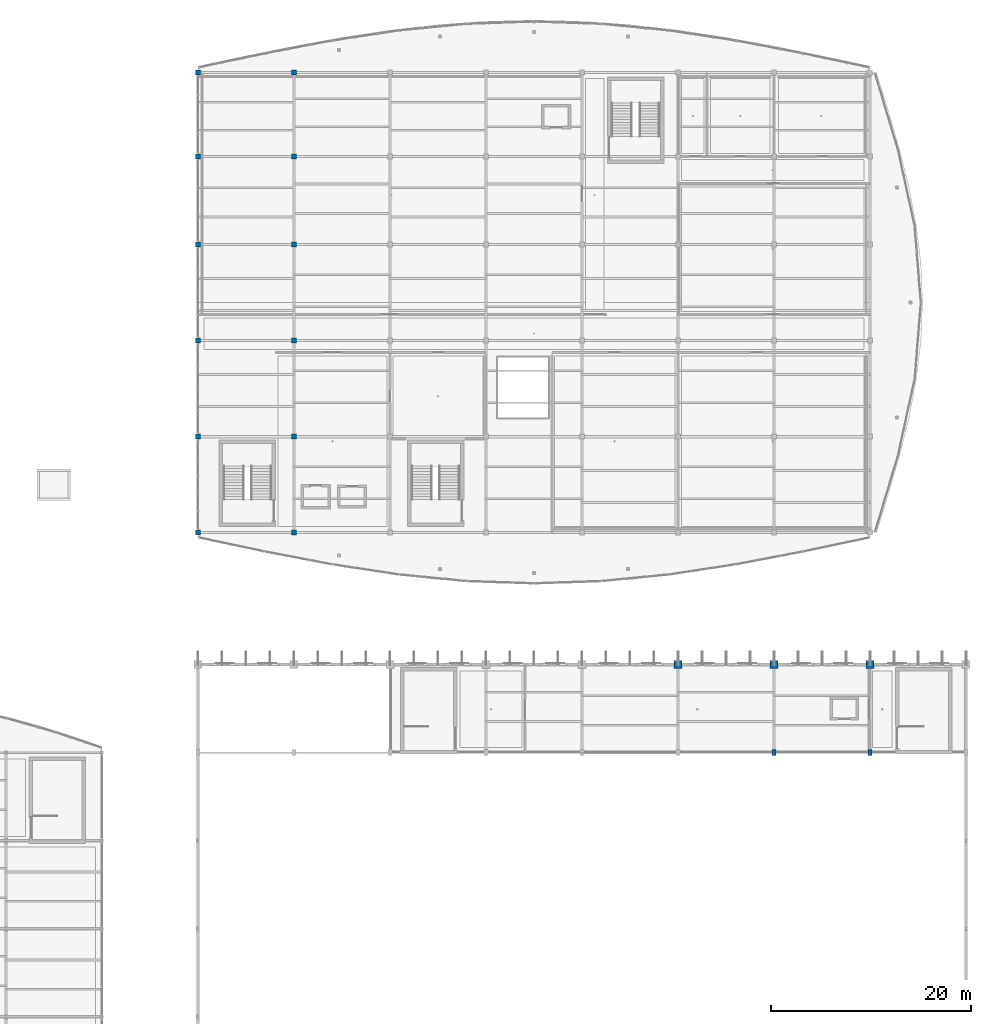
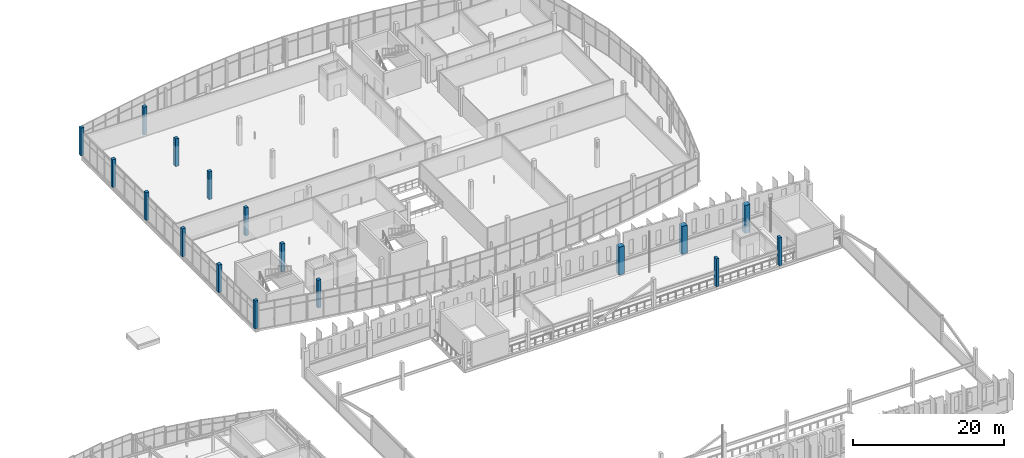
# One storey, part 8 of 114: 17 columns.
"""IFC4 building model written with IfcOpenShell, lengths in metres."""

import ifcopenshell
import ifcopenshell.guid

model = None  # the IFC model being written
_history = None  # IfcOwnerHistory: only IFC2X3 demands one
_inside = {}  # id of a spatial element -> (the spatial element, [elements in it])
_under = {}  # id of a project, library or spatial element -> (it, [spatial elements below it])
_declared = {}  # id of a project -> (the project, [libraries it declares])
_typed = {}  # id of a type object -> (the type object, [elements of that type])
_made_of = {}  # id of a material, layer set ... -> (it, [elements and type objects made of it])


def new_model(schema):
    """Start an empty IFC model of exactly this schema.

    Asked for "IFC4X3", IfcOpenShell would pick the latest addendum, in which some entities
    have other attributes; the version numbers below select the first issue.
    IFC2X3 requires an IfcOwnerHistory on every rooted entity: one is made here for all.
    """
    global model, _history
    if schema == "IFC4X3":
        model = ifcopenshell.file(schema_version=(4, 3, 0, 0))
    else:
        model = ifcopenshell.file(schema=schema)
    _inside.clear()
    _under.clear()
    _declared.clear()
    _typed.clear()
    _made_of.clear()
    _history = None
    if model.schema == "IFC2X3":
        org = make("IfcOrganization", Name="unknown")
        user = make(
            "IfcPersonAndOrganization",
            ThePerson=make("IfcPerson", FamilyName="unknown"),
            TheOrganization=org,
        )
        app = make(
            "IfcApplication",
            ApplicationDeveloper=org,
            Version="unknown",
            ApplicationFullName="unknown",
            ApplicationIdentifier="unknown",
        )
        _history = make(
            "IfcOwnerHistory",
            OwningUser=user,
            OwningApplication=app,
            ChangeAction="ADDED",
            CreationDate=0,
        )
    return model


def make(cls, **values):
    """One entity of the class cls with the attributes given. An attribute that is None is left unset."""
    return model.create_entity(
        cls, **{name: value for name, value in values.items() if value is not None}
    )


def rooted(cls, **values):
    """An entity with a GlobalId (a new one), such as an element, a storey or a relation."""
    return make(cls, GlobalId=ifcopenshell.guid.new(), OwnerHistory=_history, **values)


def si_unit(unit_type, name, prefix=None):
    """IfcSIUnit, for example si_unit("LENGTHUNIT", "METRE", prefix="MILLI")."""
    return make("IfcSIUnit", UnitType=unit_type, Prefix=prefix, Name=name)


def assignment(units):
    """IfcUnitAssignment: the units of a project."""
    return None if units is None else make("IfcUnitAssignment", Units=units)


def point(xyz):
    """IfcCartesianPoint."""
    return None if xyz is None else make("IfcCartesianPoint", Coordinates=xyz)


def direction(xyz):
    """IfcDirection."""
    return None if xyz is None else make("IfcDirection", DirectionRatios=xyz)


def frame(location, z_axis=None, x_axis=None):
    """IfcAxis2Placement3D, a coordinate frame: its origin and axes. An axis left out is left unset."""
    return make(
        "IfcAxis2Placement3D",
        Location=point(location),
        Axis=direction(z_axis),
        RefDirection=direction(x_axis),
    )


def frame_2d(location, x_axis=None):
    """IfcAxis2Placement2D, a coordinate frame in the plane: its origin and x axis."""
    return make(
        "IfcAxis2Placement2D", Location=point(location), RefDirection=direction(x_axis)
    )


def origin():
    """The frame at (0, 0, 0) with its axes left unset."""
    return frame((0.0, 0.0, 0.0))


def origin_2d():
    """The frame at (0, 0) in the plane with its x axis left unset."""
    return frame_2d((0.0, 0.0))


def place(relative_to, where):
    """IfcLocalPlacement: puts the frame where relative to a parent placement (None: the world)."""
    return make(
        "IfcLocalPlacement", PlacementRelTo=relative_to, RelativePlacement=where
    )


def context(
    kind, dimensions, precision=None, world=None, true_north=None, identifier=None
):
    """IfcGeometricRepresentationContext, for example the 3D "Model" context."""
    return make(
        "IfcGeometricRepresentationContext",
        ContextIdentifier=identifier,
        ContextType=kind,
        CoordinateSpaceDimension=dimensions,
        Precision=precision,
        WorldCoordinateSystem=world,
        TrueNorth=true_north,
    )


def subcontext(parent, identifier, kind, view, scale=None):
    """IfcGeometricRepresentationSubContext, for example "Body" below "Model"."""
    return make(
        "IfcGeometricRepresentationSubContext",
        ContextIdentifier=identifier,
        ContextType=kind,
        ParentContext=parent,
        TargetScale=scale,
        TargetView=view,
    )


def project(units=None, contexts=None):
    """IfcProject with its units and contexts."""
    return rooted(
        "IfcProject",
        Name="project",
        RepresentationContexts=contexts,
        UnitsInContext=assignment(units),
    )


def spatial(cls, under=None, at=None, **own):
    """A site, building, storey or space (cls), placed at a placement, below another one or the project."""
    s = rooted(cls, ObjectPlacement=at, **own)
    if under is not None:
        _under.setdefault(under.id(), (under, []))[1].append(s)
    return s


def profile(cls, at=None, kind="AREA", **sizes):
    """A parametric profile (cls). Its sizes go by their IFC names, for example OverallWidth=200.0."""
    return make(cls, ProfileType=kind, Position=at, **sizes)


def rectangle(**sizes):
    """IfcRectangleProfileDef."""
    return profile("IfcRectangleProfileDef", **sizes)


def extrude(swept, where, along, depth):
    """IfcExtrudedAreaSolid: the profile swept, set in the frame where, extruded along a direction by depth."""
    return make(
        "IfcExtrudedAreaSolid",
        SweptArea=swept,
        Position=where,
        ExtrudedDirection=direction(along),
        Depth=depth,
    )


def shape(context_of_items, identifier, shape_type, items):
    """IfcShapeRepresentation: the items that make up one representation, for example the "Body"."""
    return make(
        "IfcShapeRepresentation",
        ContextOfItems=context_of_items,
        RepresentationIdentifier=identifier,
        RepresentationType=shape_type,
        Items=items,
    )


def material(Name=None, Category=None):
    """IfcMaterial."""
    return make("IfcMaterial", Name=Name, Category=Category)


def material_profile(
    of_material, cross_section, Name=None, Category=None, Priority=None
):
    """IfcMaterialProfile: a cross section and its material."""
    return make(
        "IfcMaterialProfile",
        Name=Name,
        Material=of_material,
        Profile=cross_section,
        Priority=Priority,
        Category=Category,
    )


def profile_set(profiles, Name=None, composite=None):
    """IfcMaterialProfileSet."""
    return make(
        "IfcMaterialProfileSet",
        Name=Name,
        MaterialProfiles=profiles,
        CompositeProfile=composite,
    )


def made_of(thing, what):
    """Note that an element or type object is made of a material, layer set ...; save() writes the relation."""
    if what is not None:
        _made_of.setdefault(what.id(), (what, []))[1].append(thing)
    return thing


def type_object(cls, material=None, **own):
    """A type object (cls), such as IfcWallType, which elements share."""
    return made_of(rooted(cls, **own), material)


def element(
    cls,
    number,
    at=None,
    inside=None,
    cuts=None,
    type_object=None,
    material=None,
    context=None,
    identifier="Body",
    shape_type=None,
    held_by="IfcProductDefinitionShape",
    body=None,
    shapes=None,
    **own,
):
    """One element of the class cls, such as IfcWall. Its Tag is "e" and its number.

    at: its placement. inside: the storey or other place that contains it. cuts: it is an
    opening in that element (IfcRelVoidsElement). A single representation is given by context,
    identifier, shape_type and body (its items); several are given by shapes. held_by: the class
    of the entity that holds the representations. save() writes the other relations.
    """
    e = rooted(cls, Tag="e%d" % number, ObjectPlacement=at, **own)
    if body is not None:
        shapes = [shape(context, identifier, shape_type, body)]
    if shapes is not None:
        e.Representation = make(held_by, Representations=shapes)
    if inside is not None:
        _inside.setdefault(inside.id(), (inside, []))[1].append(e)
    if cuts is not None:
        rooted(
            "IfcRelVoidsElement", RelatingBuildingElement=cuts, RelatedOpeningElement=e
        )
    if type_object is not None:
        _typed.setdefault(type_object.id(), (type_object, []))[1].append(e)
    return made_of(e, material)


def aggregate(whole, parts):
    """IfcRelAggregates: a whole, such as a stair, and the parts it consists of."""
    return rooted("IfcRelAggregates", RelatingObject=whole, RelatedObjects=parts)


def save(model, path):
    """Write the relations noted so far, then the file.

    IfcRelAggregates (storeys below a building ...), IfcRelContainedInSpatialStructure (elements
    in a storey), IfcRelDefinesByType, IfcRelAssociatesMaterial and IfcRelDeclares: one each for
    every whole, place, type object, material and project.
    """
    for whole, parts in _under.values():
        aggregate(whole, parts)
    for where, things in _inside.values():
        rooted(
            "IfcRelContainedInSpatialStructure",
            RelatedElements=things,
            RelatingStructure=where,
        )
    for kind, things in _typed.values():
        rooted("IfcRelDefinesByType", RelatedObjects=things, RelatingType=kind)
    for what, things in _made_of.values():
        rooted("IfcRelAssociatesMaterial", RelatedObjects=things, RelatingMaterial=what)
    for by, libraries in _declared.values():
        rooted("IfcRelDeclares", RelatingContext=by, RelatedDefinitions=libraries)
    model.write(path)


model = new_model("IFC4")

# Units and contexts
model_context = context("Model", 3, precision=1e-05, world=origin(), true_north=direction((0.0, 1.0)))
body_context = subcontext(model_context, "Body", "Model", "MODEL_VIEW")
ifc_project = project(units=[si_unit("LENGTHUNIT", "METRE"), si_unit("AREAUNIT", "SQUARE_METRE"), si_unit("VOLUMEUNIT", "CUBIC_METRE"), si_unit("PLANEANGLEUNIT", "RADIAN"), si_unit("MASSUNIT", "GRAM", prefix="KILO")], contexts=[model_context])

# Site, building, storey
site_placement = place(None, origin())
site = spatial("IfcSite", under=ifc_project, at=site_placement, CompositionType="ELEMENT")
building_placement = place(site_placement, origin())
building = spatial("IfcBuilding", under=site, at=building_placement, Name="Chalmorin Arch Market", CompositionType="ELEMENT")
storey_placement = place(building_placement, frame((0.0, 0.0, 9.60009765625)))
storey = spatial("IfcBuildingStorey", under=building, at=storey_placement, Name="L02", CompositionType="ELEMENT", Elevation=9.60009765625)

# Columns
ifc_material_1 = material(Name="Concrete C50/60", Category="concrete")
ifc_material_profile_1 = material_profile(ifc_material_1, rectangle(XDim=0.800048828125, YDim=0.800048828125, at=origin_2d()), Name="RC800X800")
ifc_profile_set_1 = profile_set([ifc_material_profile_1], Name="Concrete C50/60")
column_type_1 = type_object("IfcColumnType", Name="ArchPierColumn-800x800", PredefinedType="COLUMN", material=ifc_profile_set_1)
for number, where, z_axis, x_axis, name in (
    (1, (96.0, 58.800048828125, 0.0), (0.0, 0.0, 1.0), (1.0, 0.0, 0.0), "C-AP1-498"),
    (2, (105.60009765625, 58.800048828125, 0.0), (0.0, 0.0, 1.0), (1.0, 0.0, 0.0), "C-AP1-553"),
    (3, (115.199951171875, 58.800048828125, 0.0), (0.0, 0.0, 1.0), (1.0, 0.0, 0.0), "C-AP1-608"),
):
    element("IfcColumn", number, at=place(storey_placement, frame(where, z_axis=z_axis, x_axis=x_axis)), inside=storey, type_object=column_type_1, Name=name, PredefinedType="COLUMN", context=body_context, shape_type="SweptSolid", body=[
        extrude(rectangle(XDim=0.800048828125, YDim=0.800048828125, at=origin_2d()), origin(), (0.0, 0.0, 1.0), 4.5),
    ])
ifc_material_2 = material(Name="Concrete C40/50", Category="concrete")
ifc_material_profile_2 = material_profile(ifc_material_2, rectangle(XDim=0.39990234375, YDim=0.60009765625, at=origin_2d()), Name="RC400X600")
ifc_profile_set_2 = profile_set([ifc_material_profile_2], Name="Concrete C40/50")
column_type_2 = type_object("IfcColumnType", Name="GalleryConcreteColumn-400x600", PredefinedType="COLUMN", material=ifc_profile_set_2)
for number, where, z_axis, x_axis, name in (
    (4, (105.60009765625, 50.0, 0.0), (0.0, 0.0, 1.0), (1.0, 0.0, 0.0), "C-RC5-548"),
    (5, (115.199951171875, 50.0, 0.0), (0.0, 0.0, 1.0), (1.0, 0.0, 0.0), "C-RC5-603"),
):
    element("IfcColumn", number, at=place(storey_placement, frame(where, z_axis=z_axis, x_axis=x_axis)), inside=storey, type_object=column_type_2, Name=name, PredefinedType="COLUMN", context=body_context, shape_type="SweptSolid", body=[
        extrude(rectangle(XDim=0.39990234375, YDim=0.60009765625, at=origin_2d()), origin(), (0.0, 0.0, 1.0), 4.5),
    ])
ifc_material_profile_3 = material_profile(ifc_material_2, rectangle(XDim=0.5, YDim=0.5, at=origin_2d()), Name="RC500X500")
ifc_profile_set_3 = profile_set([ifc_material_profile_3], Name="Concrete C40/50")
column_type_3 = type_object("IfcColumnType", Name="UpperConcreteColumn-500x500", PredefinedType="COLUMN", material=ifc_profile_set_3)
for number, where, z_axis, x_axis, name in (
    (6, (48.0, 72.0, 0.0), (0.0, 0.0, 1.0), (1.0, 0.0, 0.0), "C-RC3-228"),
    (7, (48.0, 81.60009765625, 0.0), (0.0, 0.0, 1.0), (1.0, 0.0, 0.0), "C-RC3-233"),
    (8, (48.0, 91.199951171875, 0.0), (0.0, 0.0, 1.0), (1.0, 0.0, 0.0), "C-RC3-238"),
    (9, (48.0, 100.800048828125, 0.0), (0.0, 0.0, 1.0), (1.0, 0.0, 0.0), "C-RC3-243"),
    (10, (48.0, 109.60009765625, 0.0), (0.0, 0.0, 1.0), (1.0, 0.0, 0.0), "C-RC3-248"),
    (11, (48.0, 118.0, 0.0), (0.0, 0.0, 1.0), (1.0, 0.0, 0.0), "C-RC3-253"),
    (12, (57.60009765625, 72.0, 0.0), (0.0, 0.0, 1.0), (1.0, 0.0, 0.0), "C-RC3-283"),
    (13, (57.60009765625, 81.60009765625, 0.0), (0.0, 0.0, 1.0), (1.0, 0.0, 0.0), "C-RC3-288"),
    (14, (57.60009765625, 91.199951171875, 0.0), (0.0, 0.0, 1.0), (1.0, 0.0, 0.0), "C-RC3-293"),
    (15, (57.60009765625, 100.800048828125, 0.0), (0.0, 0.0, 1.0), (1.0, 0.0, 0.0), "C-RC3-298"),
    (16, (57.60009765625, 109.60009765625, 0.0), (0.0, 0.0, 1.0), (1.0, 0.0, 0.0), "C-RC3-303"),
    (17, (57.60009765625, 118.0, 0.0), (0.0, 0.0, 1.0), (1.0, 0.0, 0.0), "C-RC3-308"),
):
    element("IfcColumn", number, at=place(storey_placement, frame(where, z_axis=z_axis, x_axis=x_axis)), inside=storey, type_object=column_type_3, Name=name, PredefinedType="COLUMN", context=body_context, shape_type="SweptSolid", body=[
        extrude(rectangle(XDim=0.5, YDim=0.5, at=origin_2d()), origin(), (0.0, 0.0, 1.0), 4.5),
    ])

save(model, "model.ifc")
